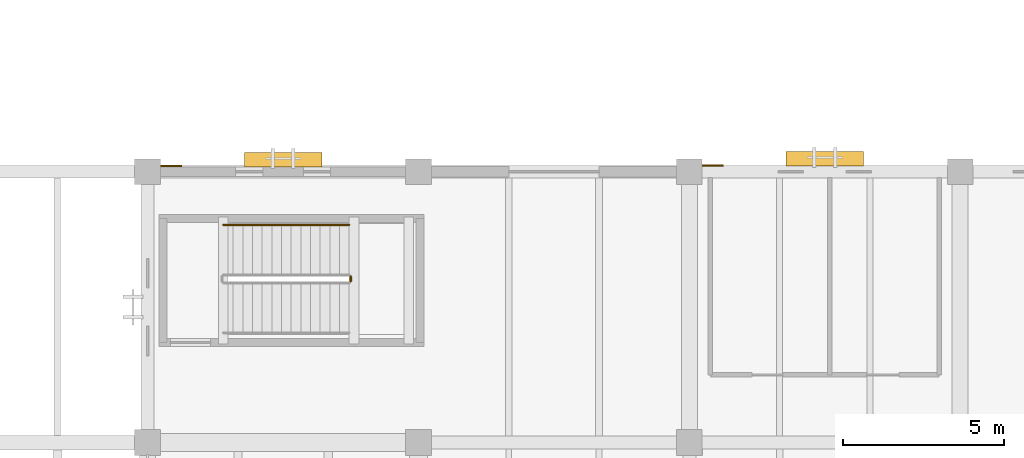
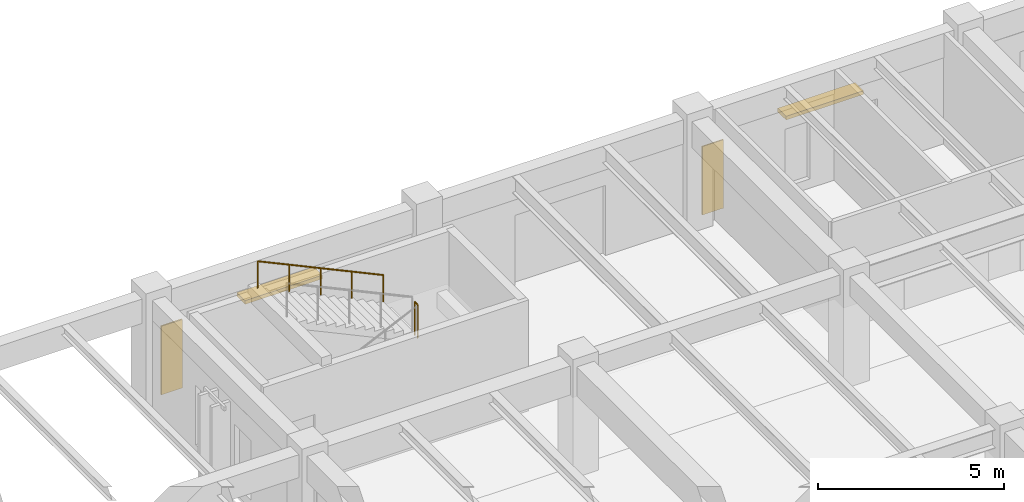
# One storey, part 125 of 135: 2 coverings, 2 railings, 2 shading devices.
"""IFC4 building model written with IfcOpenShell, lengths in metres."""

from ifc_helpers import new_model, si_unit, direction, frame, origin, origin_2d, place, context, subcontext, project, spatial, polyline, rectangle, circle, outline, extrude, material, layer, layer_set, type_object, element, save


model = new_model("IFC4")

# Units and contexts
model_context = context("Model", 3, precision=1e-05, world=origin(), true_north=direction((0.0, 1.0)))
body_context = subcontext(model_context, "Body", "Model", "MODEL_VIEW")
ifc_project = project(units=[si_unit("LENGTHUNIT", "METRE"), si_unit("AREAUNIT", "SQUARE_METRE"), si_unit("VOLUMEUNIT", "CUBIC_METRE"), si_unit("PLANEANGLEUNIT", "RADIAN"), si_unit("MASSUNIT", "GRAM", prefix="KILO")], contexts=[model_context])

# Site, building, storey
site_placement = place(None, origin())
site = spatial("IfcSite", under=ifc_project, at=site_placement, CompositionType="ELEMENT")
building_placement = place(site_placement, origin())
building = spatial("IfcBuilding", under=site, at=building_placement, Name="Cumbredor Promenade Congress Hotel", CompositionType="ELEMENT")
storey_placement = place(building_placement, origin())
storey = spatial("IfcBuildingStorey", under=building, at=storey_placement, Name="L00", CompositionType="ELEMENT", Elevation=0.0)

# Covering
ifc_material_1 = material(Name="Precast concrete C40/50", Category="concrete")
ifc_layer_1 = layer(ifc_material_1, 0.044921875, Name="Precast concrete C40/50", Category="concrete")
ifc_layer_set_1 = layer_set([ifc_layer_1], Name="Precast concrete C40/50")
covering_type_1 = type_object("IfcCoveringType", Name="Board-Formed Architectural Cladding Panel 45mm", PredefinedType="CLADDING", material=ifc_layer_set_1)
covering_1_placement = place(storey_placement, origin())
element("IfcCovering", 1, at=covering_1_placement, inside=storey, type_object=covering_type_1, Name="L00 Facade Stone Cladding Pier 028", PredefinedType="CLADDING", context=body_context, shape_type="SweptSolid", body=[
    extrude(outline(polyline([(92.801025390625, 117.75), (93.450927734375, 117.75), (93.450927734375, 117.794921875), (92.801025390625, 117.794921875), (92.801025390625, 117.75)])), origin(), (0.0, 0.0, 1.0), 2.25),
])

# Shading devices
ifc_material_2 = material(Name="Thermally broken anodized aluminium", Category="aluminium")
shading_device_type = type_object("IfcShadingDeviceType", Name="Horizontal Bronze Jalousie Louvre JAL-01", PredefinedType="JALOUSIE", material=ifc_material_2)
for number, where, z_axis, x_axis, name in (
    (2, (96.60009765625, 117.97509765625, 2.06005859375), (0.0, 0.0, 1.0), (1.0, 0.0, 0.0), "L00 Horizontal Bronze Jalousie 017"),
    (3, (113.39990234375, 118.0, 2.2099609375), (0.0, 0.0, 1.0), (1.0, 0.0, 0.0), "L00 Horizontal Bronze Jalousie 018"),
):
    element("IfcShadingDevice", number, at=place(storey_placement, frame(where, z_axis=z_axis, x_axis=x_axis)), inside=storey, type_object=shading_device_type, Name=name, PredefinedType="JALOUSIE", context=body_context, shape_type="SweptSolid", body=[
        extrude(rectangle(XDim=2.39990234375, YDim=0.449951171875, at=origin_2d()), origin(), (0.0, 0.0, 1.0), 0.1201171875),
    ])

# Railings
ifc_material_3 = material(Name="Brushed stainless steel", Category="steel")
railing_type_1 = type_object("IfcRailingType", Name="Interior Void & Stair Guardrail GR-1100", PredefinedType="GUARDRAIL", material=ifc_material_3)
railing_1_placement = place(storey_placement, frame((98.699951171875, 114.199951171875, 1.9599609375)))
element("IfcRailing", 4, at=railing_1_placement, inside=storey, type_object=railing_type_1, Name="L00 ST-15 stair guard 2", PredefinedType="GUARDRAIL", context=body_context, shape_type="SweptSolid", body=[
    extrude(circle(Radius=0.02392578125, at=origin_2d()), frame((0.0, 0.0, 1.09619140625), z_axis=(0.0, 1.0, 0.0), x_axis=(-1.0, 0.0, 0.0)), (0.0, 0.0, 1.0), 0.150146484375),
    extrude(circle(Radius=0.02099609375, at=origin_2d()), origin(), (0.0, 0.0, 1.0), 1.072021484375),
    extrude(circle(Radius=0.02099609375, at=origin_2d()), frame((0.0, 0.150146484375, 0.0)), (0.0, 0.0, 1.0), 1.072021484375),
])
railing_type_2 = type_object("IfcRailingType", Name="Stair Pitch Handrail HR-900", PredefinedType="HANDRAIL", material=ifc_material_3)
railing_2_placement = place(storey_placement, frame((98.64990234375, 115.949951171875, 2.10009765625)))
element("IfcRailing", 5, at=railing_2_placement, inside=storey, type_object=railing_type_2, Name="L00 ST-15 stair handrail 2", PredefinedType="HANDRAIL", context=body_context, shape_type="SweptSolid", body=[
    extrude(circle(Radius=0.02392578125, at=origin_2d()), frame((0.0, 0.0, 0.8759765625), z_axis=(-0.906194733976, 0.0, 0.422860620199), x_axis=(0.0, -1.0, 0.0)), (0.0, 0.0, 1.0), 4.3037109375),
    extrude(circle(Radius=0.02099609375, at=origin_2d()), origin(), (0.0, 0.0, 1.0), 0.851806640625),
    extrude(circle(Radius=0.02099609375, at=origin_2d()), frame((-0.97509765625, 0.0, 0.455078125)), (0.0, 0.0, 1.0), 0.851806640625),
    extrude(circle(Radius=0.02099609375, at=origin_2d()), frame((-1.949951171875, 0.0, 0.909912109375)), (0.0, 0.0, 1.0), 0.851806640625),
    extrude(circle(Radius=0.02099609375, at=origin_2d()), frame((-2.9248046875, 0.0, 1.36474609375)), (0.0, 0.0, 1.0), 0.851806640625),
    extrude(circle(Radius=0.02099609375, at=origin_2d()), frame((-3.89990234375, 0.0, 1.81982421875)), (0.0, 0.0, 1.0), 0.851806640625),
])

# Covering
ifc_material_4 = material(Name="Volcanic andesite ashlar cladding", Category="masonry")
ifc_layer_2 = layer(ifc_material_4, 0.034912109375, Name="Volcanic andesite ashlar cladding", Category="masonry")
ifc_layer_set_2 = layer_set([ifc_layer_2], Name="Volcanic andesite ashlar cladding")
covering_type_2 = type_object("IfcCoveringType", Name="Volcanic Andesite Ashlar Rainscreen Cladding 35mm", PredefinedType="CLADDING", material=ifc_layer_set_2)
covering_2_placement = place(storey_placement, origin())
element("IfcCovering", 6, at=covering_2_placement, inside=storey, type_object=covering_type_2, Name="L00 Facade Stone Cladding Pier 029", PredefinedType="CLADDING", context=body_context, shape_type="SweptSolid", body=[
    extrude(outline(polyline([(109.60107421875, 117.77490234375), (110.2509765625, 117.77490234375), (110.2509765625, 117.81005859375), (109.60107421875, 117.81005859375), (109.60107421875, 117.77490234375)])), origin(), (0.0, 0.0, 1.0), 2.25),
])

save(model, "model.ifc")
